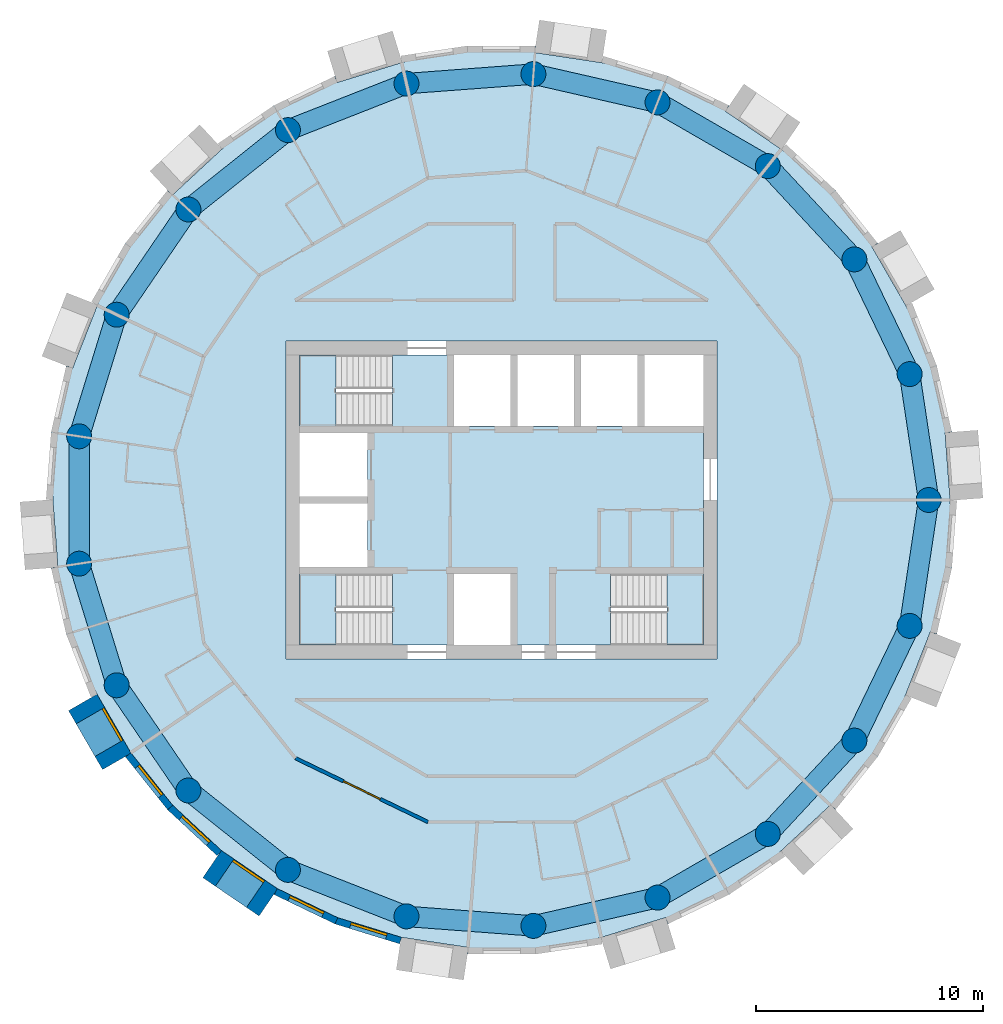
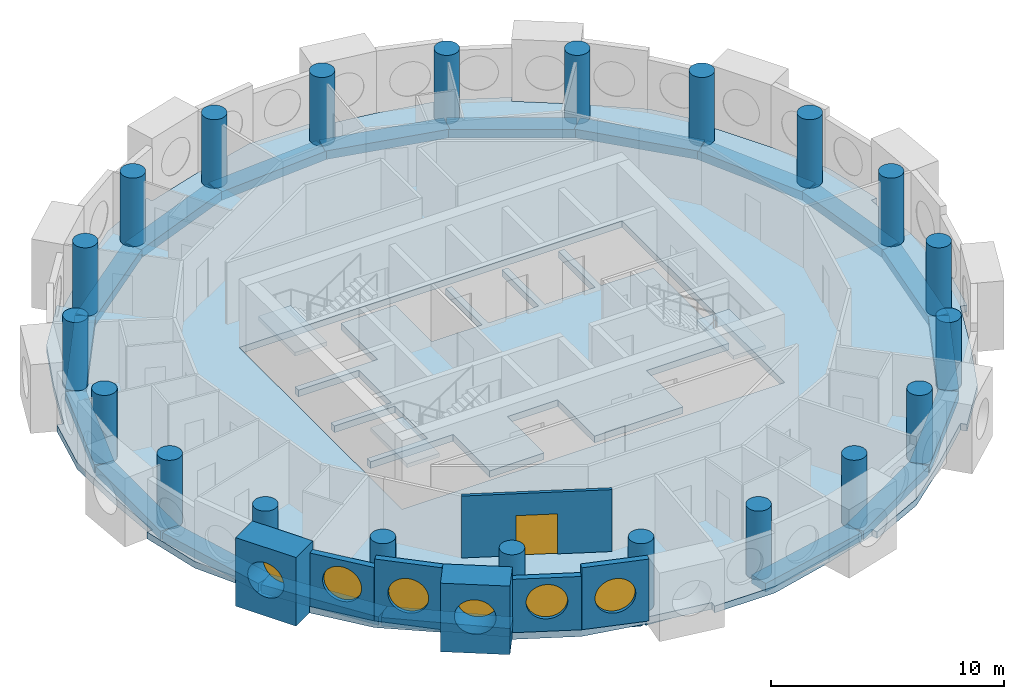
# One storey, part 1 of 11: 21 beams, 21 columns, 7 walls, 6 windows, 5 slabs, 1 door, 7 openings, 3 elements without a shape of their own.
"""IFC4 building model written with IfcOpenShell, lengths in metres."""

from ifc_helpers import new_model, si_unit, direction, frame, frame_2d, origin, origin_2d, place, context, subcontext, project, spatial, polyline, rectangle, circle, outline, extrude, material, layer, layer_set, material_profile, profile_set, type_object, element, fill, aggregate, save


model = new_model("IFC4")

# Units and contexts
model_context = context("Model", 3, precision=1e-05, world=origin(), true_north=direction((0.0, 1.0)))
body_context = subcontext(model_context, "Body", "Model", "MODEL_VIEW")
ifc_project = project(units=[si_unit("LENGTHUNIT", "METRE"), si_unit("AREAUNIT", "SQUARE_METRE"), si_unit("VOLUMEUNIT", "CUBIC_METRE"), si_unit("PLANEANGLEUNIT", "RADIAN"), si_unit("MASSUNIT", "GRAM", prefix="KILO")], contexts=[model_context])

# Site, building, storey
site_placement = place(None, origin())
site = spatial("IfcSite", under=ifc_project, at=site_placement, CompositionType="ELEMENT")
building_placement = place(site_placement, origin())
building = spatial("IfcBuilding", under=site, at=building_placement, Name="Tracery Tower", CompositionType="ELEMENT")
storey_placement = place(building_placement, frame((0.0, 0.0, 267.0)))
storey = spatial("IfcBuildingStorey", under=building, at=storey_placement, Name="L69", CompositionType="ELEMENT", Elevation=267.0)

# Columns
ifc_material_1 = material(Name="Concrete C40/50", Category="concrete")
ifc_material_profile_1 = material_profile(ifc_material_1, circle(Radius=0.550048828125, at=origin_2d()), Name="RC D1100")
ifc_profile_set_1 = profile_set([ifc_material_profile_1], Name="Concrete C40/50")
column_type = type_object("IfcColumnType", Name="Ring 2 column 1100", PredefinedType="COLUMN", material=ifc_profile_set_1)
for number, where, z_axis, x_axis, name in (
    (1, (18.822265625, 0.0, 0.0), (0.0, 0.0, 1.0), (1.0, 0.0, 0.0), "Ring 2 column 00 at L69"),
    (2, (17.986083984375, 5.5478515625, 0.0), (0.0, 0.0, 1.0), (1.0, 0.0, 0.0), "Ring 2 column 01 at L69"),
    (3, (15.551513671875, 10.602783203125, 0.0), (0.0, 0.0, 1.0), (1.0, 0.0, 0.0), "Ring 2 column 02 at L69"),
    (4, (11.7353515625, 14.7158203125, 0.0), (0.0, 0.0, 1.0), (1.0, 0.0, 0.0), "Ring 2 column 03 at L69"),
    (5, (6.87646484375, 17.52099609375, 0.0), (0.0, 0.0, 1.0), (1.0, 0.0, 0.0), "Ring 2 column 04 at L69"),
    (6, (1.406494140625, 18.76953125, 0.0), (0.0, 0.0, 1.0), (1.0, 0.0, 0.0), "Ring 2 column 05 at L69"),
    (7, (-4.188232421875, 18.350341796875, 0.0), (0.0, 0.0, 1.0), (1.0, 0.0, 0.0), "Ring 2 column 06 at L69"),
    (8, (-9.4111328125, 16.300537109375, 0.0), (0.0, 0.0, 1.0), (1.0, 0.0, 0.0), "Ring 2 column 07 at L69"),
    (9, (-13.797607421875, 12.802490234375, 0.0), (0.0, 0.0, 1.0), (1.0, 0.0, 0.0), "Ring 2 column 08 at L69"),
    (10, (-16.958251953125, 8.16650390625, 0.0), (0.0, 0.0, 1.0), (1.0, 0.0, 0.0), "Ring 2 column 09 at L69"),
    (11, (-18.612060546875, 2.805419921875, 0.0), (0.0, 0.0, 1.0), (1.0, 0.0, 0.0), "Ring 2 column 10 at L69"),
    (12, (-18.612060546875, -2.805419921875, 0.0), (0.0, 0.0, 1.0), (1.0, 0.0, 0.0), "Ring 2 column 11 at L69"),
    (13, (-16.958251953125, -8.166748046875, 0.0), (0.0, 0.0, 1.0), (1.0, 0.0, 0.0), "Ring 2 column 12 at L69"),
    (14, (-13.797607421875, -12.80224609375, 0.0), (0.0, 0.0, 1.0), (1.0, 0.0, 0.0), "Ring 2 column 13 at L69"),
    (15, (-9.4111328125, -16.300537109375, 0.0), (0.0, 0.0, 1.0), (1.0, 0.0, 0.0), "Ring 2 column 14 at L69"),
    (16, (-4.188232421875, -18.350341796875, 0.0), (0.0, 0.0, 1.0), (1.0, 0.0, 0.0), "Ring 2 column 15 at L69"),
    (17, (1.406494140625, -18.76953125, 0.0), (0.0, 0.0, 1.0), (1.0, 0.0, 0.0), "Ring 2 column 16 at L69"),
    (18, (6.87646484375, -17.52099609375, 0.0), (0.0, 0.0, 1.0), (1.0, 0.0, 0.0), "Ring 2 column 17 at L69"),
    (19, (11.7353515625, -14.7158203125, 0.0), (0.0, 0.0, 1.0), (1.0, 0.0, 0.0), "Ring 2 column 18 at L69"),
    (20, (15.551513671875, -10.602783203125, 0.0), (0.0, 0.0, 1.0), (1.0, 0.0, 0.0), "Ring 2 column 19 at L69"),
    (21, (17.986083984375, -5.5478515625, 0.0), (0.0, 0.0, 1.0), (1.0, 0.0, 0.0), "Ring 2 column 20 at L69"),
):
    element("IfcColumn", number, at=place(storey_placement, frame(where, z_axis=z_axis, x_axis=x_axis)), inside=storey, type_object=column_type, Name=name, PredefinedType="COLUMN", context=body_context, shape_type="SweptSolid", body=[
        extrude(circle(Radius=0.550048828125, at=origin_2d()), origin(), (0.0, 0.0, 1.0), 3.60009765625),
    ])

# Beams
ifc_material_2 = material(Name="Concrete C40/50", Category="concrete")
ifc_material_profile_2 = material_profile(ifc_material_2, rectangle(XDim=0.89990234375, YDim=0.449951171875, at=origin_2d()), Name="RC 900x450")
ifc_profile_set_2 = profile_set([ifc_material_profile_2], Name="Concrete C40/50")
beam_type = type_object("IfcBeamType", Name="Perimeter band beam 900x450", PredefinedType="BEAM", material=ifc_profile_set_2)
for number, where, z_axis, x_axis, name in (
    (22, (18.822265625, 0.0, -0.574951171875), (-0.149038355855, 0.988831415603, 0.0), (-0.988831415603, -0.149038355855, 0.0), "Perimeter beam 2.00 under L69"),
    (23, (17.986083984375, 5.5478515625, -0.574951171875), (-0.433918973155, 0.900951899235, 0.0), (-0.900951899235, -0.433918973155, 0.0), "Perimeter beam 2.01 under L69"),
):
    element("IfcBeam", number, at=place(storey_placement, frame(where, z_axis=z_axis, x_axis=x_axis)), inside=storey, type_object=beam_type, Name=name, PredefinedType="BEAM", context=body_context, shape_type="SweptSolid", body=[
        extrude(rectangle(XDim=0.89990234375, YDim=0.449951171875, at=origin_2d()), origin(), (0.0, 0.0, 1.0), 5.610595703125),
    ])
beam_1_placement = place(storey_placement, frame((15.551513671875, 10.602783203125, -0.574951171875), z_axis=(-0.680155630824, 0.733067744386, 0.0), x_axis=(-0.733067744386, -0.680155630824, 0.0)))
element("IfcBeam", 24, at=beam_1_placement, inside=storey, type_object=beam_type, Name="Perimeter beam 2.02 under L69", PredefinedType="BEAM", context=body_context, shape_type="SweptSolid", body=[
    extrude(rectangle(XDim=0.89990234375, YDim=0.449951171875, at=origin_2d()), origin(), (0.0, 0.0, 1.0), 5.61083984375),
])
for number, where, z_axis, x_axis, name in (
    (25, (11.7353515625, 14.7158203125, -0.574951171875), (-0.866033412818, 0.49998612769, 0.0), (-0.49998612769, -0.866033412818, 0.0), "Perimeter beam 2.03 under L69"),
    (26, (6.87646484375, 17.52099609375, -0.574951171875), (-0.974925977366, 0.222529410768, 0.0), (-0.222529410768, -0.974925977366, 0.0), "Perimeter beam 2.04 under L69"),
):
    element("IfcBeam", number, at=place(storey_placement, frame(where, z_axis=z_axis, x_axis=x_axis)), inside=storey, type_object=beam_type, Name=name, PredefinedType="BEAM", context=body_context, shape_type="SweptSolid", body=[
        extrude(rectangle(XDim=0.89990234375, YDim=0.449951171875, at=origin_2d()), origin(), (0.0, 0.0, 1.0), 5.610595703125),
    ])
beam_2_placement = place(storey_placement, frame((1.406494140625, 18.76953125, -0.574951171875), z_axis=(-0.997204824387, -0.07471638521, 0.0), x_axis=(0.07471638521, -0.997204824387, 0.0)))
element("IfcBeam", 27, at=beam_2_placement, inside=storey, type_object=beam_type, Name="Perimeter beam 2.05 under L69", PredefinedType="BEAM", context=body_context, shape_type="SweptSolid", body=[
    extrude(rectangle(XDim=0.89990234375, YDim=0.449951171875, at=origin_2d()), origin(), (0.0, 0.0, 1.0), 5.6103515625),
])
beam_3_placement = place(storey_placement, frame((-4.188232421875, 18.350341796875, -0.574951171875), z_axis=(-0.930875728468, -0.365335979817, 0.0), x_axis=(0.365335979817, -0.930875728468, 0.0)))
element("IfcBeam", 28, at=beam_3_placement, inside=storey, type_object=beam_type, Name="Perimeter beam 2.06 under L69", PredefinedType="BEAM", context=body_context, shape_type="SweptSolid", body=[
    extrude(rectangle(XDim=0.89990234375, YDim=0.449951171875, at=origin_2d()), origin(), (0.0, 0.0, 1.0), 5.61083984375),
])
beam_4_placement = place(storey_placement, frame((-9.4111328125, 16.300537109375, -0.574951171875), z_axis=(-0.781835817725, -0.623484365579, 0.0), x_axis=(0.623484365579, -0.781835817725, 0.0)))
element("IfcBeam", 29, at=beam_4_placement, inside=storey, type_object=beam_type, Name="Perimeter beam 2.07 under L69", PredefinedType="BEAM", context=body_context, shape_type="SweptSolid", body=[
    extrude(rectangle(XDim=0.89990234375, YDim=0.449951171875, at=origin_2d()), origin(), (0.0, 0.0, 1.0), 5.610595703125),
])
beam_5_placement = place(storey_placement, frame((-13.797607421875, 12.802490234375, -0.574951171875), z_axis=(-0.563305770578, -0.826248515178, 0.0), x_axis=(0.826248515178, -0.563305770578, 0.0)))
element("IfcBeam", 30, at=beam_5_placement, inside=storey, type_object=beam_type, Name="Perimeter beam 2.08 under L69", PredefinedType="BEAM", context=body_context, shape_type="SweptSolid", body=[
    extrude(rectangle(XDim=0.89990234375, YDim=0.449951171875, at=origin_2d()), origin(), (0.0, 0.0, 1.0), 5.61083984375),
])
beam_6_placement = place(storey_placement, frame((-16.958251953125, 8.16650390625, -0.574951171875), z_axis=(-0.294776851839, -0.955566118916, 0.0), x_axis=(0.955566118916, -0.294776851839, 0.0)))
element("IfcBeam", 31, at=beam_6_placement, inside=storey, type_object=beam_type, Name="Perimeter beam 2.09 under L69", PredefinedType="BEAM", context=body_context, shape_type="SweptSolid", body=[
    extrude(rectangle(XDim=0.89990234375, YDim=0.449951171875, at=origin_2d()), origin(), (0.0, 0.0, 1.0), 5.6103515625),
])
beam_7_placement = place(storey_placement, frame((-18.612060546875, 2.805419921875, -0.574951171875), z_axis=(0.0, -1.0, 0.0), x_axis=(1.0, 0.0, 0.0)))
element("IfcBeam", 32, at=beam_7_placement, inside=storey, type_object=beam_type, Name="Perimeter beam 2.10 under L69", PredefinedType="BEAM", context=body_context, shape_type="SweptSolid", body=[
    extrude(rectangle(XDim=0.89990234375, YDim=0.449951171875, at=origin_2d()), origin(), (0.0, 0.0, 1.0), 5.61083984375),
])
for number, where, z_axis, x_axis, name in (
    (33, (-18.612060546875, -2.805419921875, -0.574951171875), (0.294764594813, -0.955569899926, 0.0), (0.955569899926, 0.294764594813, 0.0), "Perimeter beam 2.11 under L69"),
    (34, (-16.958251953125, -8.166748046875, -0.574951171875), (0.5633462764, -0.826220898348, 0.0), (0.826220898348, 0.5633462764, 0.0), "Perimeter beam 2.12 under L69"),
    (35, (-13.797607421875, -12.80224609375, -0.574951171875), (0.781814605872, -0.623510963853, 0.0), (0.623510963853, 0.781814605872, 0.0), "Perimeter beam 2.13 under L69"),
):
    element("IfcBeam", number, at=place(storey_placement, frame(where, z_axis=z_axis, x_axis=x_axis)), inside=storey, type_object=beam_type, Name=name, PredefinedType="BEAM", context=body_context, shape_type="SweptSolid", body=[
        extrude(rectangle(XDim=0.89990234375, YDim=0.449951171875, at=origin_2d()), origin(), (0.0, 0.0, 1.0), 5.610595703125),
    ])
beam_8_placement = place(storey_placement, frame((-9.4111328125, -16.300537109375, -0.574951171875), z_axis=(0.930875728468, -0.365335979817, 0.0), x_axis=(0.365335979817, 0.930875728468, 0.0)))
element("IfcBeam", 36, at=beam_8_placement, inside=storey, type_object=beam_type, Name="Perimeter beam 2.14 under L69", PredefinedType="BEAM", context=body_context, shape_type="SweptSolid", body=[
    extrude(rectangle(XDim=0.89990234375, YDim=0.449951171875, at=origin_2d()), origin(), (0.0, 0.0, 1.0), 5.61083984375),
])
beam_9_placement = place(storey_placement, frame((-4.188232421875, -18.350341796875, -0.574951171875), z_axis=(0.997204824387, -0.07471638521, 0.0), x_axis=(0.07471638521, 0.997204824387, 0.0)))
element("IfcBeam", 37, at=beam_9_placement, inside=storey, type_object=beam_type, Name="Perimeter beam 2.15 under L69", PredefinedType="BEAM", context=body_context, shape_type="SweptSolid", body=[
    extrude(rectangle(XDim=0.89990234375, YDim=0.449951171875, at=origin_2d()), origin(), (0.0, 0.0, 1.0), 5.6103515625),
])
for number, where, z_axis, x_axis, name in (
    (38, (1.406494140625, -18.76953125, -0.574951171875), (0.974925977366, 0.222529410768, 0.0), (-0.222529410768, 0.974925977366, 0.0), "Perimeter beam 2.16 under L69"),
    (39, (6.87646484375, -17.52099609375, -0.574951171875), (0.866033412818, 0.49998612769, 0.0), (-0.49998612769, 0.866033412818, 0.0), "Perimeter beam 2.17 under L69"),
):
    element("IfcBeam", number, at=place(storey_placement, frame(where, z_axis=z_axis, x_axis=x_axis)), inside=storey, type_object=beam_type, Name=name, PredefinedType="BEAM", context=body_context, shape_type="SweptSolid", body=[
        extrude(rectangle(XDim=0.89990234375, YDim=0.449951171875, at=origin_2d()), origin(), (0.0, 0.0, 1.0), 5.610595703125),
    ])
beam_10_placement = place(storey_placement, frame((11.7353515625, -14.7158203125, -0.574951171875), z_axis=(0.680155630824, 0.733067744386, 0.0), x_axis=(-0.733067744386, 0.680155630824, 0.0)))
element("IfcBeam", 40, at=beam_10_placement, inside=storey, type_object=beam_type, Name="Perimeter beam 2.18 under L69", PredefinedType="BEAM", context=body_context, shape_type="SweptSolid", body=[
    extrude(rectangle(XDim=0.89990234375, YDim=0.449951171875, at=origin_2d()), origin(), (0.0, 0.0, 1.0), 5.61083984375),
])
for number, where, z_axis, x_axis, name in (
    (41, (15.551513671875, -10.602783203125, -0.574951171875), (0.433918973155, 0.900951899235, 0.0), (-0.900951899235, 0.433918973155, 0.0), "Perimeter beam 2.19 under L69"),
    (42, (17.986083984375, -5.5478515625, -0.574951171875), (0.149038355855, 0.988831415603, 0.0), (-0.988831415603, 0.149038355855, 0.0), "Perimeter beam 2.20 under L69"),
):
    element("IfcBeam", number, at=place(storey_placement, frame(where, z_axis=z_axis, x_axis=x_axis)), inside=storey, type_object=beam_type, Name=name, PredefinedType="BEAM", context=body_context, shape_type="SweptSolid", body=[
        extrude(rectangle(XDim=0.89990234375, YDim=0.449951171875, at=origin_2d()), origin(), (0.0, 0.0, 1.0), 5.610595703125),
    ])

# Slabs
ifc_material_3 = material(Name="Concrete C40/50", Category="concrete")
ifc_layer_1 = layer(ifc_material_3, 0.35009765625)
ifc_layer_set_1 = layer_set([ifc_layer_1], Name="Core floor slab 350 C40")
slab_type_1 = type_object("IfcSlabType", Name="Core floor slab 350 C40", PredefinedType="FLOOR", material=ifc_layer_set_1)
slab_1_placement = place(storey_placement, frame((0.0, 0.0, -0.35009765625)))
element("IfcSlab", 43, at=slab_1_placement, inside=storey, type_object=slab_type_1, Name="L69 core floor 1", PredefinedType="FLOOR", context=body_context, shape_type="SweptSolid", body=[
    extrude(outline(polyline([(-4.800537109375, -3.25), (-8.89990234375, -3.25), (-8.89990234375, -2.949951171875), (-5.89990234375, -2.949951171875), (-5.89990234375, -0.14990234375), (-8.89990234375, -0.14990234375), (-8.89990234375, 0.14990234375), (-5.89990234375, 0.14990234375), (-5.89990234375, 2.949951171875), (-8.89990234375, 2.949951171875), (-8.89990234375, 3.25), (-4.800537109375, 3.25), (-4.800537109375, 6.39990234375), (-2.10009765625, 6.39990234375), (-2.10009765625, 3.25), (0.39990234375, 3.25), (0.39990234375, 6.39990234375), (0.699951171875, 6.39990234375), (0.699951171875, 3.25), (3.199951171875, 3.25), (3.199951171875, 6.39990234375), (3.5, 6.39990234375), (3.5, 3.25), (6.0, 3.25), (6.0, 6.39990234375), (6.300048828125, 6.39990234375), (6.300048828125, 3.25), (8.89990234375, 3.25), (8.89990234375, -3.25), (4.800537109375, -3.25), (4.800537109375, -6.39990234375), (0.39990234375, -6.39990234375), (0.39990234375, -3.25), (-2.10009765625, -3.25), (-2.10009765625, -6.39990234375), (-4.800537109375, -6.39990234375), (-4.800537109375, -3.25)])), origin(), (0.0, 0.0, 1.0), 0.35009765625),
])
ifc_material_4 = material(Name="Concrete C40/50", Category="concrete")
ifc_layer_2 = layer(ifc_material_4, 0.35009765625)
ifc_layer_set_2 = layer_set([ifc_layer_2], Name="Floor slab 350")
slab_type_2 = type_object("IfcSlabType", Name="Floor slab 350", PredefinedType="FLOOR", material=ifc_layer_set_2)
slab_2_placement = place(storey_placement, frame((0.0, 0.0, -0.35009765625)))
element("IfcSlab", 44, at=slab_2_placement, inside=storey, type_object=slab_type_2, Name="Floor slab L69", PredefinedType="FLOOR", context=body_context, shape_type="SweptSolid", body=[
    extrude(outline(polyline([(19.550537109375, 2.94677734375), (19.548828125, 2.96923828125), (19.847900390625, 2.99169921875), (19.180419921875, 5.91650390625), (17.813720703125, 8.577880859375), (16.32470703125, 11.156982421875), (16.583984375, 11.306884765625), (16.58447265625, 11.30712890625), (14.714111328125, 13.652587890625), (12.3271484375, 15.4580078125), (9.8671875, 17.13525390625), (10.0361328125, 17.383056640625), (7.333251953125, 18.684814453125), (4.3994140625, 19.275634765625), (2.3466796875, 19.585205078125), (1.455322265625, 19.719482421875), (1.5, 20.01611328125), (1.5, 20.01611328125), (-1.5, 20.01611328125), (-4.3994140625, 19.275634765625), (-7.223388671875, 18.404541015625), (-7.223388671875, 18.404541015625), (-7.244873046875, 18.39794921875), (-7.333251953125, 18.684814453125), (-10.0361328125, 17.383056640625), (-12.3271484375, 15.4580078125), (-14.493408203125, 13.447998046875), (-14.493408203125, 13.447998046875), (-14.510009765625, 13.4326171875), (-14.714111328125, 13.652587890625), (-14.714111328125, 13.652587890625), (-16.58447265625, 11.30712890625), (-17.81298828125, 8.5791015625), (-18.901123046875, 5.806884765625), (-19.180419921875, 5.91650390625), (-19.847900390625, 2.99169921875), (-19.771484375, 0.000732421875), (-19.63720703125, -1.789306640625), (-19.550537109375, -2.94677734375), (-19.550537109375, -2.94677734375), (-19.548828125, -2.96923828125), (-19.847900390625, -2.99169921875), (-19.180419921875, -5.91650390625), (-17.813720703125, -8.577880859375), (-16.32470703125, -11.156982421875), (-16.583984375, -11.306884765625), (-16.58447265625, -11.30712890625), (-14.714111328125, -13.652587890625), (-12.3271484375, -15.4580078125), (-9.8671875, -17.13525390625), (-10.0361328125, -17.383056640625), (-7.333251953125, -18.684814453125), (-4.3994140625, -19.275634765625), (-2.3466796875, -19.585205078125), (-1.455322265625, -19.719482421875), (-1.5, -20.01611328125), (-1.5, -20.01611328125), (1.5, -20.01611328125), (4.3994140625, -19.275634765625), (7.223388671875, -18.404541015625), (7.223388671875, -18.404541015625), (7.244873046875, -18.39794921875), (7.333251953125, -18.684814453125), (10.0361328125, -17.383056640625), (12.3271484375, -15.4580078125), (14.493408203125, -13.447998046875), (14.493408203125, -13.447998046875), (14.510009765625, -13.4326171875), (14.714111328125, -13.652587890625), (14.714111328125, -13.652587890625), (16.58447265625, -11.30712890625), (17.81298828125, -8.5791015625), (18.901123046875, -5.806884765625), (19.180419921875, -5.91650390625), (19.847900390625, -2.99169921875), (19.771484375, -0.000732421875), (19.63720703125, 1.789306640625), (19.550537109375, 2.94677734375), (19.550537109375, 2.94677734375)]), holes=[polyline([(-9.5, -7.0), (9.5, -7.0), (9.5, 7.0), (-9.5, 7.0), (-9.5, -7.0)])]), origin(), (0.0, 0.0, 1.0), 0.35009765625),
])

# Stair, slab
ifc_material_5 = material(Name="Concrete C32/40", Category="concrete")
stair_type = type_object("IfcStairType", Name="Core stair 22 risers", PredefinedType="HALF_TURN_STAIR", material=ifc_material_5)
stair_1_placement = place(storey_placement, origin())
stair_1 = element("IfcStair", 45, at=stair_1_placement, inside=storey, type_object=stair_type, Name="L69 stair ST1", PredefinedType="HALF_TURN_STAIR")
ifc_material_6 = material(Name="Concrete C32/40", Category="concrete")
ifc_layer_3 = layer(ifc_material_6, 0.199951171875)
ifc_layer_set_3 = layer_set([ifc_layer_3], Name="Stair landing slab 200")
slab_type_3 = type_object("IfcSlabType", Name="Stair landing slab 200", PredefinedType="LANDING", material=ifc_layer_set_3)
slab_3_placement = place(storey_placement, frame((0.0, 0.0, 1.60009765625)))
slab_3 = element("IfcSlab", 46, at=slab_3_placement, type_object=slab_type_3, Name="ST1 landing 1", PredefinedType="LANDING", context=body_context, shape_type="SweptSolid", body=[
    extrude(outline(polyline([(-7.29931640625, -3.25), (-8.89990234375, -3.25), (-8.89990234375, -6.39990234375), (-7.29931640625, -6.39990234375), (-7.29931640625, -3.25)])), origin(), (0.0, 0.0, 1.0), 0.199951171875),
])
aggregate(stair_1, [slab_3])

stair_2_placement = place(storey_placement, origin())
stair_2 = element("IfcStair", 47, at=stair_2_placement, inside=storey, type_object=stair_type, Name="L69 stair ST3", PredefinedType="HALF_TURN_STAIR")
slab_4_placement = place(storey_placement, frame((0.0, 0.0, 1.60009765625)))
slab_4 = element("IfcSlab", 48, at=slab_4_placement, type_object=slab_type_3, Name="ST3 landing 1", PredefinedType="LANDING", context=body_context, shape_type="SweptSolid", body=[
    extrude(outline(polyline([(-7.29931640625, 6.39990234375), (-8.89990234375, 6.39990234375), (-8.89990234375, 3.25), (-7.29931640625, 3.25), (-7.29931640625, 6.39990234375)])), origin(), (0.0, 0.0, 1.0), 0.199951171875),
])
aggregate(stair_2, [slab_4])

stair_3_placement = place(storey_placement, origin())
stair_3 = element("IfcStair", 49, at=stair_3_placement, inside=storey, type_object=stair_type, Name="L69 stair ST2", PredefinedType="HALF_TURN_STAIR")
slab_5_placement = place(storey_placement, frame((0.0, 0.0, 1.60009765625)))
slab_5 = element("IfcSlab", 50, at=slab_5_placement, type_object=slab_type_3, Name="ST2 landing 1", PredefinedType="LANDING", context=body_context, shape_type="SweptSolid", body=[
    extrude(outline(polyline([(7.29931640625, -6.39990234375), (8.89990234375, -6.39990234375), (8.89990234375, -3.25), (7.29931640625, -3.25), (7.29931640625, -6.39990234375)])), origin(), (0.0, 0.0, 1.0), 0.199951171875),
])
aggregate(stair_3, [slab_5])

# Wall, opening, window
ifc_material_7 = material(Name="Precast concrete C50/60", Category="concrete")
ifc_layer_4 = layer(ifc_material_7, 1.449951171875)
ifc_layer_set_4 = layer_set([ifc_layer_4], Name="Deep-set bay unit 3000 x 3600, slab edge 350")
wall_type_1 = type_object("IfcWallType", Name="Deep-set bay unit 3000 x 3600, slab edge 350", PredefinedType="ELEMENTEDWALL", material=ifc_layer_set_4)
wall_1_placement = place(storey_placement, frame((-18.452392578125, -8.92138671875, -0.35009765625), z_axis=(0.0, 0.0, 1.0), x_axis=(0.499990139034, -0.866031096941, 0.0)))
wall_1 = element("IfcWall", 51, at=wall_1_placement, inside=storey, type_object=wall_type_1, Name="Deep-set bay unit 25 at L69", PredefinedType="ELEMENTEDWALL", context=body_context, shape_type="SweptSolid", body=[
    extrude(rectangle(XDim=3.0, YDim=1.449951171875, at=frame_2d((1.5, 0.0))), origin(), (0.0, 0.0, 1.0), 3.60009765625),
])
opening_1_placement = place(wall_1_placement, frame((1.5, 0.0, 1.89990234375)))
opening_1 = element("IfcOpeningElement", 52, at=opening_1_placement, cuts=wall_1, Name="Opening WN1", PredefinedType="OPENING", context=body_context, shape_type="SweptSolid", body=[
    extrude(circle(Radius=0.9000244140625, at=origin_2d()), frame((0.0, 0.73486328125, 0.0), z_axis=(0.0, -1.0, 0.0), x_axis=(1.0, 0.0, 0.0)), (0.0, 0.0, 1.0), 1.469970703125),
])
ifc_material_8 = material(Name="Aluminium frame with tinted double glazing", Category="aluminium")
window_type = type_object("IfcWindowType", Name="Round window 1800", PartitioningType="SINGLE_PANEL", PredefinedType="WINDOW", material=ifc_material_8)
window_1_placement = place(opening_1_placement, origin())
window_1 = element("IfcWindow", 53, at=window_1_placement, inside=storey, type_object=window_type, Name="Round window 25 at L69", OverallHeight=1.800048828125, OverallWidth=1.800048828125, PartitioningType="SINGLE_PANEL", PredefinedType="WINDOW", context=body_context, shape_type="SweptSolid", body=[
    extrude(circle(Radius=0.9000244140625, at=origin_2d()), frame((0.0, 0.69482421875, 0.0), z_axis=(0.0, -1.0, 0.0), x_axis=(1.0, 0.0, 0.0)), (0.0, 0.0, 1.0), 0.10009765625),
])
fill(opening_1, window_1)

wall_2_placement = place(storey_placement, frame((-12.754150390625, -16.044189453125, -0.35009765625), z_axis=(0.0, 0.0, 1.0), x_axis=(0.826246281157, -0.563309047392, 0.0)))
wall_2 = element("IfcWall", 54, at=wall_2_placement, inside=storey, type_object=wall_type_1, Name="Deep-set bay unit 28 at L69", PredefinedType="ELEMENTEDWALL", context=body_context, shape_type="SweptSolid", body=[
    extrude(rectangle(XDim=3.0, YDim=1.449951171875, at=frame_2d((1.5, 0.0))), origin(), (0.0, 0.0, 1.0), 3.60009765625),
])
opening_2_placement = place(wall_2_placement, frame((1.5, 0.0, 1.89990234375)))
opening_2 = element("IfcOpeningElement", 55, at=opening_2_placement, cuts=wall_2, Name="Opening WN1", PredefinedType="OPENING", context=body_context, shape_type="SweptSolid", body=[
    extrude(circle(Radius=0.9000244140625, at=origin_2d()), frame((0.0, 0.73486328125, 0.0), z_axis=(0.0, -1.0, 0.0), x_axis=(1.0, 0.0, 0.0)), (0.0, 0.0, 1.0), 1.469970703125),
])
window_2_placement = place(opening_2_placement, origin())
window_2 = element("IfcWindow", 56, at=window_2_placement, inside=storey, type_object=window_type, Name="Round window 28 at L69", OverallHeight=1.800048828125, OverallWidth=1.800048828125, PartitioningType="SINGLE_PANEL", PredefinedType="WINDOW", context=body_context, shape_type="SweptSolid", body=[
    extrude(circle(Radius=0.9000244140625, at=origin_2d()), frame((0.0, 0.69482421875, 0.0), z_axis=(0.0, -1.0, 0.0), x_axis=(1.0, 0.0, 0.0)), (0.0, 0.0, 1.0), 0.10009765625),
])
fill(opening_2, window_2)

ifc_material_9 = material(Name="Precast concrete C50/60", Category="concrete")
ifc_layer_5 = layer(ifc_material_9, 0.300048828125)
ifc_layer_set_5 = layer_set([ifc_layer_5], Name="Facade panel 3000 x 2800")
wall_type_2 = type_object("IfcWallType", Name="Facade panel 3000 x 2800", PredefinedType="SOLIDWALL", material=ifc_layer_set_5)
wall_3_placement = place(storey_placement, frame((-16.45068359375, -11.234375, 0.0), z_axis=(0.0, 0.0, 1.0), x_axis=(0.623498236992, -0.781824755599, 0.0)))
wall_3 = element("IfcWall", 57, at=wall_3_placement, inside=storey, type_object=wall_type_2, Name="Facade panel 26 at L69", PredefinedType="SOLIDWALL", context=body_context, shape_type="SweptSolid", body=[
    extrude(rectangle(XDim=2.962158203125, YDim=0.300048828125, at=frame_2d((1.48095703125, 0.0))), origin(), (0.0, 0.0, 1.0), 2.800048828125),
])
opening_3_placement = place(wall_3_placement, frame((1.48095703125, 0.0, 1.5498046875)))
opening_3 = element("IfcOpeningElement", 58, at=opening_3_placement, cuts=wall_3, Name="Opening WN1", PredefinedType="OPENING", context=body_context, shape_type="SweptSolid", body=[
    extrude(circle(Radius=0.9000244140625, at=origin_2d()), frame((0.0, 0.159912109375, 0.0), z_axis=(0.0, -1.0, 0.0), x_axis=(1.0, 0.0, 0.0)), (0.0, 0.0, 1.0), 0.320068359375),
])
window_3_placement = place(opening_3_placement, origin())
window_3 = element("IfcWindow", 59, at=window_3_placement, inside=storey, type_object=window_type, Name="Round window 26 at L69", OverallHeight=1.800048828125, OverallWidth=1.800048828125, PartitioningType="SINGLE_PANEL", PredefinedType="WINDOW", context=body_context, shape_type="SweptSolid", body=[
    extrude(circle(Radius=0.9000244140625, at=origin_2d()), frame((0.0, 0.1201171875, 0.0), z_axis=(0.0, -1.0, 0.0), x_axis=(1.0, 0.0, 0.0)), (0.0, 0.0, 1.0), 0.10009765625),
])
fill(opening_3, window_3)

wall_4_placement = place(storey_placement, frame((-9.947021484375, -17.25927734375, 0.0), z_axis=(0.0, 0.0, 1.0), x_axis=(0.900939615635, -0.433944476838, 0.0)))
wall_4 = element("IfcWall", 60, at=wall_4_placement, inside=storey, type_object=wall_type_2, Name="Facade panel 29 at L69", PredefinedType="SOLIDWALL", context=body_context, shape_type="SweptSolid", body=[
    extrude(rectangle(XDim=2.962158203125, YDim=0.300048828125, at=frame_2d((1.48095703125, 0.0))), origin(), (0.0, 0.0, 1.0), 2.800048828125),
])
opening_4_placement = place(wall_4_placement, frame((1.48095703125, 0.0, 1.5498046875)))
opening_4 = element("IfcOpeningElement", 61, at=opening_4_placement, cuts=wall_4, Name="Opening WN1", PredefinedType="OPENING", context=body_context, shape_type="SweptSolid", body=[
    extrude(circle(Radius=0.9000244140625, at=origin_2d()), frame((0.0, 0.159912109375, 0.0), z_axis=(0.0, -1.0, 0.0), x_axis=(1.0, 0.0, 0.0)), (0.0, 0.0, 1.0), 0.320068359375),
])
window_4_placement = place(opening_4_placement, origin())
window_4 = element("IfcWindow", 62, at=window_4_placement, inside=storey, type_object=window_type, Name="Round window 29 at L69", OverallHeight=1.800048828125, OverallWidth=1.800048828125, PartitioningType="SINGLE_PANEL", PredefinedType="WINDOW", context=body_context, shape_type="SweptSolid", body=[
    extrude(circle(Radius=0.9000244140625, at=origin_2d()), frame((0.0, 0.1201171875, 0.0), z_axis=(0.0, -1.0, 0.0), x_axis=(1.0, 0.0, 0.0)), (0.0, 0.0, 1.0), 0.10009765625),
])
fill(opening_4, window_4)

ifc_material_10 = material(Name="Precast concrete C50/60", Category="concrete")
ifc_layer_6 = layer(ifc_material_10, 0.300048828125)
ifc_layer_set_6 = layer_set([ifc_layer_6], Name="Facade panel 3000 x 3250")
wall_type_3 = type_object("IfcWallType", Name="Facade panel 3000 x 3250", PredefinedType="SOLIDWALL", material=ifc_layer_set_6)
wall_5_placement = place(storey_placement, frame((-14.603759765625, -13.55029296875, 0.0), z_axis=(0.0, 0.0, 1.0), x_axis=(0.733066412643, -0.680157066165, 0.0)))
wall_5 = element("IfcWall", 63, at=wall_5_placement, inside=storey, type_object=wall_type_3, Name="Facade panel 27 at L69", PredefinedType="SOLIDWALL", context=body_context, shape_type="SweptSolid", body=[
    extrude(rectangle(XDim=2.96240234375, YDim=0.300048828125, at=frame_2d((1.481201171875, 0.0))), origin(), (0.0, 0.0, 1.0), 3.25),
])
opening_5_placement = place(wall_5_placement, frame((1.48095703125, 0.0, 1.5498046875)))
opening_5 = element("IfcOpeningElement", 64, at=opening_5_placement, cuts=wall_5, Name="Opening WN1", PredefinedType="OPENING", context=body_context, shape_type="SweptSolid", body=[
    extrude(circle(Radius=0.9000244140625, at=origin_2d()), frame((0.0, 0.159912109375, 0.0), z_axis=(0.0, -1.0, 0.0), x_axis=(1.0, 0.0, 0.0)), (0.0, 0.0, 1.0), 0.320068359375),
])
window_5_placement = place(opening_5_placement, origin())
window_5 = element("IfcWindow", 65, at=window_5_placement, inside=storey, type_object=window_type, Name="Round window 27 at L69", OverallHeight=1.800048828125, OverallWidth=1.800048828125, PartitioningType="SINGLE_PANEL", PredefinedType="WINDOW", context=body_context, shape_type="SweptSolid", body=[
    extrude(circle(Radius=0.9000244140625, at=origin_2d()), frame((0.0, 0.1201171875, 0.0), z_axis=(0.0, -1.0, 0.0), x_axis=(1.0, 0.0, 0.0)), (0.0, 0.0, 1.0), 0.10009765625),
])
fill(opening_5, window_5)

wall_6_placement = place(storey_placement, frame((-7.2783203125, -18.544677734375, 0.0), z_axis=(0.0, 0.0, 1.0), x_axis=(0.95558635705, -0.294711238707, 0.0)))
wall_6 = element("IfcWall", 66, at=wall_6_placement, inside=storey, type_object=wall_type_3, Name="Facade panel 30 at L69", PredefinedType="SOLIDWALL", context=body_context, shape_type="SweptSolid", body=[
    extrude(rectangle(XDim=2.96240234375, YDim=0.300048828125, at=frame_2d((1.481201171875, 0.0))), origin(), (0.0, 0.0, 1.0), 3.25),
])
opening_6_placement = place(wall_6_placement, frame((1.48095703125, 0.0, 1.5498046875)))
opening_6 = element("IfcOpeningElement", 67, at=opening_6_placement, cuts=wall_6, Name="Opening WN1", PredefinedType="OPENING", context=body_context, shape_type="SweptSolid", body=[
    extrude(circle(Radius=0.9000244140625, at=origin_2d()), frame((0.0, 0.159912109375, 0.0), z_axis=(0.0, -1.0, 0.0), x_axis=(1.0, 0.0, 0.0)), (0.0, 0.0, 1.0), 0.320068359375),
])
window_6_placement = place(opening_6_placement, origin())
window_6 = element("IfcWindow", 68, at=window_6_placement, inside=storey, type_object=window_type, Name="Round window 30 at L69", OverallHeight=1.800048828125, OverallWidth=1.800048828125, PartitioningType="SINGLE_PANEL", PredefinedType="WINDOW", context=body_context, shape_type="SweptSolid", body=[
    extrude(circle(Radius=0.9000244140625, at=origin_2d()), frame((0.0, 0.1201171875, 0.0), z_axis=(0.0, -1.0, 0.0), x_axis=(1.0, 0.0, 0.0)), (0.0, 0.0, 1.0), 0.10009765625),
])
fill(opening_6, window_6)

# Wall, opening, door
ifc_material_11 = material(Name="Plasterboard on steel studs", Category="steel")
ifc_layer_7 = layer(ifc_material_11, 0.14990234375)
ifc_layer_set_7 = layer_set([ifc_layer_7], Name="Partition 150 corridor wall")
wall_type_4 = type_object("IfcWallType", Name="Partition 150 corridor wall", PredefinedType="PARTITIONING", material=ifc_layer_set_7)
wall_7_placement = place(storey_placement, frame((-9.075927734375, -11.381103515625, 0.0), z_axis=(0.0, 0.0, 1.0), x_axis=(0.900976027191, -0.433868872388, 0.0)))
wall_7 = element("IfcWall", 69, at=wall_7_placement, inside=storey, type_object=wall_type_4, Name="Corridor wall RC4-037", PredefinedType="PARTITIONING", context=body_context, shape_type="SweptSolid", body=[
    extrude(rectangle(XDim=6.478515625, YDim=0.14990234375, at=frame_2d((3.2392578125, 0.0))), origin(), (0.0, 0.0, 1.0), 3.25),
])
opening_7_placement = place(wall_7_placement, frame((2.339599609375, 0.0, 0.0)))
opening_7 = element("IfcOpeningElement", 70, at=opening_7_placement, cuts=wall_7, Name="Opening RC4-20", PredefinedType="OPENING", context=body_context, shape_type="SweptSolid", body=[
    extrude(rectangle(XDim=1.800048828125, YDim=2.10009765625, at=frame_2d((0.89990234375, 1.050048828125))), frame((0.0, 0.074951171875, 0.0), z_axis=(0.0, -1.0, 0.0), x_axis=(1.0, 0.0, 0.0)), (0.0, 0.0, 1.0), 0.14990234375),
])
ifc_material_12 = material(Name="Timber door leaf", Category="wood")
door_type = type_object("IfcDoorType", Name="Door double lounge 1800", OperationType="NOTDEFINED", PredefinedType="DOOR", material=ifc_material_12)
door_placement = place(opening_7_placement, origin())
door = element("IfcDoor", 71, at=door_placement, inside=storey, type_object=door_type, Name="Double lounge door RC4-20", OperationType="DOUBLE_DOOR_SINGLE_SWING", OverallHeight=2.10009765625, OverallWidth=1.800048828125, PredefinedType="DOOR", context=body_context, shape_type="SweptSolid", body=[
    extrude(rectangle(XDim=1.800048828125, YDim=2.10009765625, at=frame_2d((0.89990234375, 1.050048828125))), frame((0.0, 0.02490234375, 0.0), z_axis=(0.0, -1.0, 0.0), x_axis=(1.0, 0.0, 0.0)), (0.0, 0.0, 1.0), 0.050048828125),
])
fill(opening_7, door)

save(model, "model.ifc")
